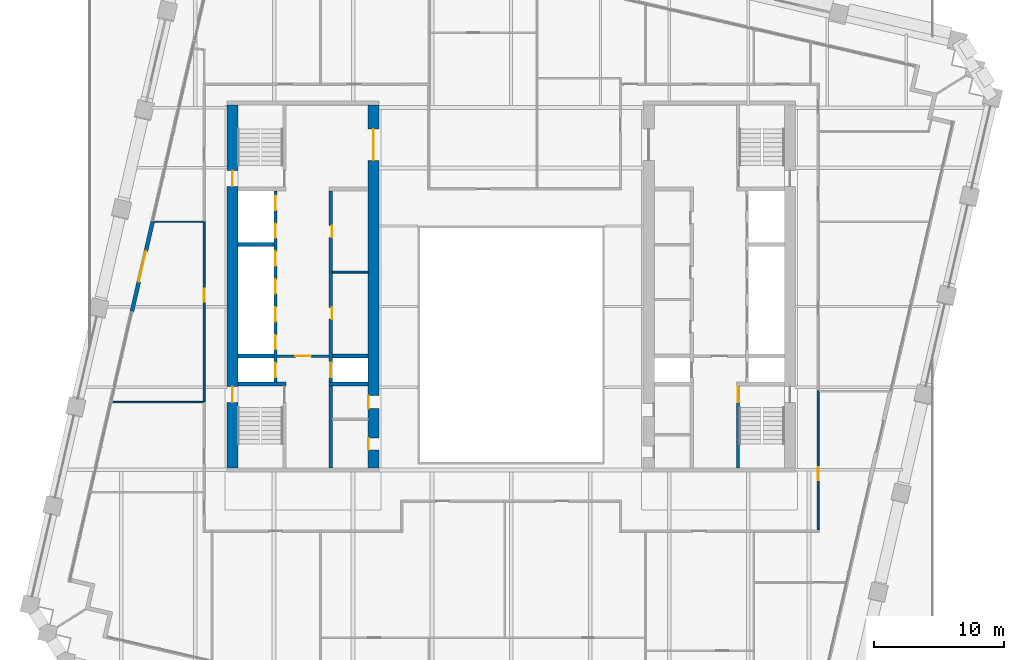
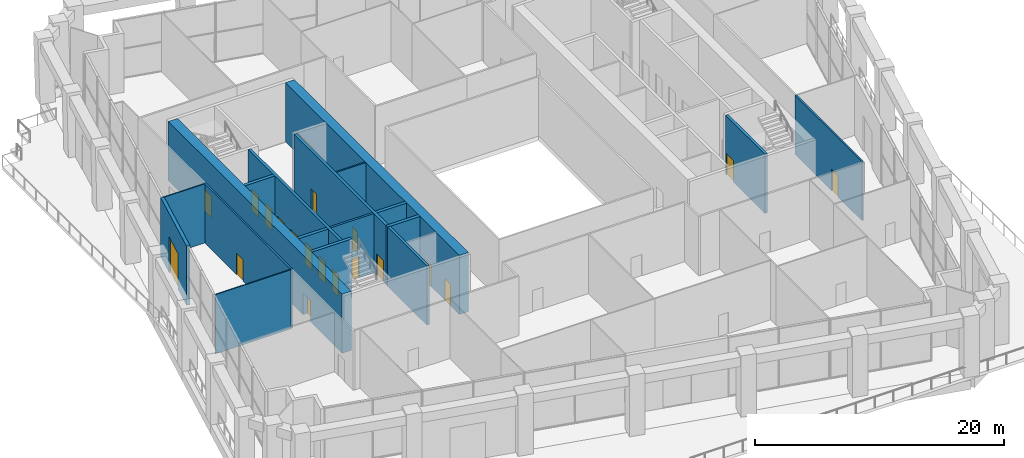
# One storey, part 16 of 23: 20 doors, 17 walls, 20 openings.
"""IFC4 building model written with IfcOpenShell, lengths in metres."""

from ifc_helpers import new_model, si_unit, direction, frame, frame_2d, origin, place, context, subcontext, project, spatial, rectangle, extrude, material, layer, layer_set, type_object, element, fill, save


model = new_model("IFC4")

# Units and contexts
model_context = context("Model", 3, precision=1e-05, world=origin(), true_north=direction((0.0, 1.0)))
body_context = subcontext(model_context, "Body", "Model", "MODEL_VIEW")
ifc_project = project(units=[si_unit("LENGTHUNIT", "METRE"), si_unit("AREAUNIT", "SQUARE_METRE"), si_unit("VOLUMEUNIT", "CUBIC_METRE"), si_unit("PLANEANGLEUNIT", "RADIAN"), si_unit("MASSUNIT", "GRAM", prefix="KILO")], contexts=[model_context])

# Site, building, storey
site_placement = place(None, origin())
site = spatial("IfcSite", under=ifc_project, at=site_placement, CompositionType="ELEMENT")
building_placement = place(site_placement, origin())
building = spatial("IfcBuilding", under=site, at=building_placement, Name="Ogive Exchange Tower", CompositionType="ELEMENT")
storey_placement = place(building_placement, frame((0.0, 0.0, 99.60009765625)))
storey = spatial("IfcBuildingStorey", under=building, at=storey_placement, Name="L21", CompositionType="ELEMENT", Elevation=99.60009765625)

# Wall
ifc_material_1 = material(Name="Gypsum board partition")
ifc_layer_1 = layer(ifc_material_1, 0.14990234375)
ifc_layer_set_1 = layer_set([ifc_layer_1], Name="Core room partition 150 gypsum")
wall_type_1 = type_object("IfcWallType", Name="Core room partition 150 gypsum", PredefinedType="PARTITIONING", material=ifc_layer_set_1)
wall_1_placement = place(storey_placement, frame((-13.75, 12.60009765625, 0.0), z_axis=(0.0, 0.0, 1.0), x_axis=(1.0, 0.0, 0.0)))
element("IfcWall", 1, at=wall_1_placement, inside=storey, type_object=wall_type_1, Name="W row B bay partition 1-1", PredefinedType="PARTITIONING", context=body_context, shape_type="SweptSolid", body=[
    extrude(rectangle(XDim=2.75, YDim=0.14990234375, at=frame_2d((1.375, 0.0))), origin(), (0.0, 0.0, 1.0), 5.7998046875),
])

# Wall, opening, door
ifc_material_2 = material(Name="Fire partition EI 60 150")
ifc_layer_2 = layer(ifc_material_2, 0.14990234375)
ifc_layer_set_2 = layer_set([ifc_layer_2], Name="Fire partition EI 60 150")
wall_type_2 = type_object("IfcWallType", Name="Fire partition EI 60 150", PredefinedType="PARTITIONING", material=ifc_layer_set_2)
wall_2_placement = place(storey_placement, frame((-23.60009765625, 2.610107421875, 0.0), z_axis=(0.0, 0.0, 1.0), x_axis=(0.0, 1.0, 0.0)))
wall_2 = element("IfcWall", 2, at=wall_2_placement, inside=storey, type_object=wall_type_2, Name="L21-PWL-006", PredefinedType="PARTITIONING", context=body_context, shape_type="SweptSolid", body=[
    extrude(rectangle(XDim=13.919921875, YDim=0.14990234375, at=frame_2d((6.9599609375, 0.0))), origin(), (0.0, 0.0, 1.0), 5.7998046875),
])
opening_1_placement = place(wall_2_placement, frame((7.719970703125, 0.0, 0.0)))
opening_1 = element("IfcOpeningElement", 3, at=opening_1_placement, cuts=wall_2, Name="Opening L21-I21", PredefinedType="OPENING", context=body_context, shape_type="SweptSolid", body=[
    extrude(rectangle(XDim=1.0, YDim=2.10009765625, at=frame_2d((0.5, 1.050048828125))), frame((0.0, 0.0849609375, 0.0), z_axis=(0.0, -1.0, 0.0), x_axis=(1.0, 0.0, 0.0)), (0.0, 0.0, 1.0), 0.169921875),
])
ifc_material_3 = material(Name="Fire door FD 30S 1000 x 2100")
door_type_1 = type_object("IfcDoorType", Name="Fire door FD 30S 1000 x 2100", OperationType="NOTDEFINED", PredefinedType="DOOR", material=ifc_material_3)
door_1_placement = place(opening_1_placement, origin())
door_1 = element("IfcDoor", 4, at=door_1_placement, inside=storey, type_object=door_type_1, Name="L21-IDR-021", ObjectType="DT3", OperationType="SINGLE_SWING_RIGHT", OverallHeight=2.10009765625, OverallWidth=1.0, PredefinedType="DOOR", context=body_context, shape_type="SweptSolid", body=[
    extrude(rectangle(XDim=1.0, YDim=2.10009765625, at=frame_2d((0.5, 1.050048828125))), frame((0.0, 0.02490234375, 0.0), z_axis=(0.0, -1.0, 0.0), x_axis=(1.0, 0.0, 0.0)), (0.0, 0.0, 1.0), 0.050048828125),
])
fill(opening_1, door_1)

wall_3_placement = place(storey_placement, frame((23.60009765625, 3.5, 0.0), z_axis=(0.0, 0.0, 1.0), x_axis=(0.0, -1.0, 0.0)))
wall_3 = element("IfcWall", 5, at=wall_3_placement, inside=storey, type_object=wall_type_2, Name="L21-PWL-059", PredefinedType="PARTITIONING", context=body_context, shape_type="SweptSolid", body=[
    extrude(rectangle(XDim=10.72509765625, YDim=0.14990234375, at=frame_2d((5.362548828125, 0.0))), origin(), (0.0, 0.0, 1.0), 5.7998046875),
])
opening_2_placement = place(wall_3_placement, frame((5.89990234375, 0.0, 0.0)))
opening_2 = element("IfcOpeningElement", 6, at=opening_2_placement, cuts=wall_3, Name="Opening L21-I14", PredefinedType="OPENING", context=body_context, shape_type="SweptSolid", body=[
    extrude(rectangle(XDim=1.0, YDim=2.10009765625, at=frame_2d((0.5, 1.050048828125))), frame((0.0, 0.0849609375, 0.0), z_axis=(0.0, -1.0, 0.0), x_axis=(1.0, 0.0, 0.0)), (0.0, 0.0, 1.0), 0.169921875),
])
door_2_placement = place(opening_2_placement, origin())
door_2 = element("IfcDoor", 7, at=door_2_placement, inside=storey, type_object=door_type_1, Name="L21-IDR-014", ObjectType="DT3", OperationType="SINGLE_SWING_RIGHT", OverallHeight=2.10009765625, OverallWidth=1.0, PredefinedType="DOOR", context=body_context, shape_type="SweptSolid", body=[
    extrude(rectangle(XDim=1.0, YDim=2.10009765625, at=frame_2d((0.5, 1.050048828125))), frame((0.0, 0.02490234375, 0.0), z_axis=(0.0, -1.0, 0.0), x_axis=(1.0, 0.0, 0.0)), (0.0, 0.0, 1.0), 0.050048828125),
])
fill(opening_2, door_2)

ifc_material_4 = material(Name="Precast concrete C40/50", Category="concrete")
ifc_layer_3 = layer(ifc_material_4, 0.300048828125)
ifc_layer_set_3 = layer_set([ifc_layer_3], Name="Limestone-faced wall 300")
wall_type_3 = type_object("IfcWallType", Name="Limestone-faced wall 300", PredefinedType="STANDARD", material=ifc_layer_set_3)
wall_4_placement = place(storey_placement, frame((-27.553955078125, 16.511962890625, 0.0), z_axis=(0.0, 0.0, 1.0), x_axis=(-0.224949733175, -0.9743703698, 0.0)))
wall_4 = element("IfcWall", 8, at=wall_4_placement, inside=storey, type_object=wall_type_3, Name="External wall W4", PredefinedType="STANDARD", context=body_context, shape_type="SweptSolid", body=[
    extrude(rectangle(XDim=7.1142578125, YDim=0.300048828125, at=frame_2d((3.55712890625, 0.0))), origin(), (0.0, 0.0, 1.0), 5.7998046875),
])
opening_3_placement = place(wall_4_placement, frame((2.357177734375, 0.0, 0.0)))
opening_3 = element("IfcOpeningElement", 9, at=opening_3_placement, cuts=wall_4, Name="Opening D1", PredefinedType="OPENING", context=body_context, shape_type="SweptSolid", body=[
    extrude(rectangle(XDim=2.39990234375, YDim=3.5, at=frame_2d((1.199951171875, 1.75))), frame((0.0, 0.159912109375, 0.0), z_axis=(0.0, -1.0, 0.0), x_axis=(1.0, 0.0, 0.0)), (0.0, 0.0, 1.0), 0.320068359375),
])
ifc_material_5 = material(Name="Clear glass in bronze frame", Category="glass")
door_type_2 = type_object("IfcDoorType", Name="Sliding loggia door 2400 x 3500", OperationType="DOUBLE_DOOR_SLIDING", PredefinedType="DOOR", material=ifc_material_5)
door_3_placement = place(opening_3_placement, origin())
door_3 = element("IfcDoor", 10, at=door_3_placement, inside=storey, type_object=door_type_2, Name="Loggia door W03", OperationType="DOUBLE_DOOR_SLIDING", OverallHeight=3.5, OverallWidth=2.39990234375, PredefinedType="DOOR", context=body_context, shape_type="SweptSolid", body=[
    extrude(rectangle(XDim=2.39990234375, YDim=3.5, at=frame_2d((1.199951171875, 1.75))), frame((0.0, 0.02490234375, 0.0), z_axis=(0.0, -1.0, 0.0), x_axis=(1.0, 0.0, 0.0)), (0.0, 0.0, 1.0), 0.050048828125),
])
fill(opening_3, door_3)

# Walls
ifc_material_6 = material(Name="Partition 100 gypsum")
ifc_layer_4 = layer(ifc_material_6, 0.10009765625)
ifc_layer_set_4 = layer_set([ifc_layer_4], Name="Partition 100 gypsum")
wall_type_4 = type_object("IfcWallType", Name="Partition 100 gypsum", PredefinedType="PARTITIONING", material=ifc_layer_set_4)
wall_5_placement = place(storey_placement, frame((-23.675048828125, 2.610107421875, 0.0), z_axis=(0.0, 0.0, 1.0), x_axis=(-1.0, 0.0, 0.0)))
element("IfcWall", 11, at=wall_5_placement, inside=storey, type_object=wall_type_4, Name="L21-PWL-005", PredefinedType="PARTITIONING", context=body_context, shape_type="SweptSolid", body=[
    extrude(rectangle(XDim=7.016845703125, YDim=0.10009765625, at=frame_2d((3.50830078125, 0.0))), origin(), (0.0, 0.0, 1.0), 5.7998046875),
])
wall_6_placement = place(storey_placement, frame((-23.675048828125, 16.47998046875, 0.0), z_axis=(0.0, 0.0, 1.0), x_axis=(-1.0, 0.0, 0.0)))
element("IfcWall", 12, at=wall_6_placement, inside=storey, type_object=wall_type_4, Name="L21-PWL-007", PredefinedType="PARTITIONING", context=body_context, shape_type="SweptSolid", body=[
    extrude(rectangle(XDim=3.81494140625, YDim=0.10009765625, at=frame_2d((1.907470703125, 0.0))), origin(), (0.0, 0.0, 1.0), 5.7998046875),
])

# Wall, opening, door
ifc_material_7 = material(Name="Concrete C70/85", Category="concrete")
ifc_layer_5 = layer(ifc_material_7, 0.199951171875)
ifc_layer_set_5 = layer_set([ifc_layer_5], Name="RC core wall 200 C70/85")
wall_type_5 = type_object("IfcWallType", Name="RC core wall 200 C70/85", PredefinedType="SHEAR", material=ifc_layer_set_5)
wall_7_placement = place(storey_placement, frame((-18.0, 6.142822265625, 0.0), z_axis=(0.0, 0.0, 1.0), x_axis=(1.0, 0.0, 0.0)))
wall_7 = element("IfcWall", 13, at=wall_7_placement, inside=storey, type_object=wall_type_5, Name="W firefighting lobby wall", PredefinedType="SHEAR", context=body_context, shape_type="SweptSolid", body=[
    extrude(rectangle(XDim=4.0, YDim=0.199951171875, at=frame_2d((2.0, 0.0))), origin(), (0.0, 0.0, 1.0), 5.7998046875),
])
opening_4_placement = place(wall_7_placement, frame((1.39990234375, 0.0, 0.0)))
opening_4 = element("IfcOpeningElement", 14, at=opening_4_placement, cuts=wall_7, Name="Opening L21-C11", PredefinedType="OPENING", context=body_context, shape_type="SweptSolid", body=[
    extrude(rectangle(XDim=1.199951171875, YDim=2.10009765625, at=frame_2d((0.60009765625, 1.050048828125))), frame((0.0, 0.10986328125, 0.0), z_axis=(0.0, -1.0, 0.0), x_axis=(1.0, 0.0, 0.0)), (0.0, 0.0, 1.0), 0.219970703125),
])
ifc_material_8 = material(Name="Steel fire door", Category="steel")
door_type_3 = type_object("IfcDoorType", Name="Firefighting lobby door FD60 1200 x 2100", OperationType="NOTDEFINED", PredefinedType="DOOR", material=ifc_material_8)
door_4_placement = place(opening_4_placement, frame((1.199951171875, 0.0, 0.0), z_axis=(0.0, 0.0, 1.0), x_axis=(-1.0, 0.0, 0.0)))
door_4 = element("IfcDoor", 15, at=door_4_placement, inside=storey, type_object=door_type_3, Name="Firefighting lobby door", ObjectType="CD3", OperationType="SINGLE_SWING_RIGHT", OverallHeight=2.10009765625, OverallWidth=1.199951171875, PredefinedType="DOOR", context=body_context, shape_type="SweptSolid", body=[
    extrude(rectangle(XDim=1.199951171875, YDim=2.10009765625, at=frame_2d((0.60009765625, 1.050048828125))), frame((0.0, 0.02490234375, 0.0), z_axis=(0.0, -1.0, 0.0), x_axis=(1.0, 0.0, 0.0)), (0.0, 0.0, 1.0), 0.050048828125),
])
fill(opening_4, door_4)

# Wall, openings, doors
ifc_layer_6 = layer(ifc_material_7, 0.25)
ifc_layer_set_6 = layer_set([ifc_layer_6], Name="RC core wall 250 C70/85")
wall_type_6 = type_object("IfcWallType", Name="RC core wall 250 C70/85", PredefinedType="SHEAR", material=ifc_layer_set_6)
wall_8_placement = place(storey_placement, frame((-18.125, 4.14990234375, 0.0), z_axis=(0.0, 0.0, 1.0), x_axis=(0.0, 1.0, 0.0)))
wall_8 = element("IfcWall", 16, at=wall_8_placement, inside=storey, type_object=wall_type_6, Name="W row A front wall", PredefinedType="SHEAR", context=body_context, shape_type="SweptSolid", body=[
    extrude(rectangle(XDim=14.7001953125, YDim=0.25, at=frame_2d((7.35009765625, 0.0))), origin(), (0.0, 0.0, 1.0), 5.7998046875),
])
opening_5_placement = place(wall_8_placement, frame((0.371337890625, 0.0, 0.0)))
opening_5 = element("IfcOpeningElement", 17, at=opening_5_placement, cuts=wall_8, Name="Opening L21-C01", PredefinedType="OPENING", context=body_context, shape_type="SweptSolid", body=[
    extrude(rectangle(XDim=1.10009765625, YDim=2.10009765625, at=frame_2d((0.550048828125, 1.050048828125))), frame((0.0, 0.135009765625, 0.0), z_axis=(0.0, -1.0, 0.0), x_axis=(1.0, 0.0, 0.0)), (0.0, 0.0, 1.0), 0.27001953125),
])
opening_6_placement = place(wall_8_placement, frame((2.514404296875, 0.0, 0.0)))
opening_6 = element("IfcOpeningElement", 18, at=opening_6_placement, cuts=wall_8, Name="Opening L21-C02", PredefinedType="OPENING", context=body_context, shape_type="SweptSolid", body=[
    extrude(rectangle(XDim=1.10009765625, YDim=2.10009765625, at=frame_2d((0.550048828125, 1.050048828125))), frame((0.0, 0.135009765625, 0.0), z_axis=(0.0, -1.0, 0.0), x_axis=(1.0, 0.0, 0.0)), (0.0, 0.0, 1.0), 0.27001953125),
])
opening_7_placement = place(wall_8_placement, frame((4.656982421875, 0.0, 0.0)))
opening_7 = element("IfcOpeningElement", 19, at=opening_7_placement, cuts=wall_8, Name="Opening L21-C03", PredefinedType="OPENING", context=body_context, shape_type="SweptSolid", body=[
    extrude(rectangle(XDim=1.10009765625, YDim=2.10009765625, at=frame_2d((0.550048828125, 1.050048828125))), frame((0.0, 0.135009765625, 0.0), z_axis=(0.0, -1.0, 0.0), x_axis=(1.0, 0.0, 0.0)), (0.0, 0.0, 1.0), 0.27001953125),
])
opening_8_placement = place(wall_8_placement, frame((6.800048828125, 0.0, 0.0)))
opening_8 = element("IfcOpeningElement", 20, at=opening_8_placement, cuts=wall_8, Name="Opening L21-C04", PredefinedType="OPENING", context=body_context, shape_type="SweptSolid", body=[
    extrude(rectangle(XDim=1.10009765625, YDim=2.10009765625, at=frame_2d((0.550048828125, 1.050048828125))), frame((0.0, 0.135009765625, 0.0), z_axis=(0.0, -1.0, 0.0), x_axis=(1.0, 0.0, 0.0)), (0.0, 0.0, 1.0), 0.27001953125),
])
opening_9_placement = place(wall_8_placement, frame((8.94287109375, 0.0, 0.0)))
opening_9 = element("IfcOpeningElement", 21, at=opening_9_placement, cuts=wall_8, Name="Opening L21-C05", PredefinedType="OPENING", context=body_context, shape_type="SweptSolid", body=[
    extrude(rectangle(XDim=1.10009765625, YDim=2.10009765625, at=frame_2d((0.550048828125, 1.050048828125))), frame((0.0, 0.135009765625, 0.0), z_axis=(0.0, -1.0, 0.0), x_axis=(1.0, 0.0, 0.0)), (0.0, 0.0, 1.0), 0.27001953125),
])
opening_10_placement = place(wall_8_placement, frame((11.085693359375, 0.0, 0.0)))
opening_10 = element("IfcOpeningElement", 22, at=opening_10_placement, cuts=wall_8, Name="Opening L21-C06", PredefinedType="OPENING", context=body_context, shape_type="SweptSolid", body=[
    extrude(rectangle(XDim=1.10009765625, YDim=2.10009765625, at=frame_2d((0.550048828125, 1.050048828125))), frame((0.0, 0.135009765625, 0.0), z_axis=(0.0, -1.0, 0.0), x_axis=(1.0, 0.0, 0.0)), (0.0, 0.0, 1.0), 0.27001953125),
])
opening_11_placement = place(wall_8_placement, frame((13.228515625, 0.0, 0.0)))
opening_11 = element("IfcOpeningElement", 23, at=opening_11_placement, cuts=wall_8, Name="Opening L21-C07", PredefinedType="OPENING", context=body_context, shape_type="SweptSolid", body=[
    extrude(rectangle(XDim=1.10009765625, YDim=2.10009765625, at=frame_2d((0.550048828125, 1.050048828125))), frame((0.0, 0.135009765625, 0.0), z_axis=(0.0, -1.0, 0.0), x_axis=(1.0, 0.0, 0.0)), (0.0, 0.0, 1.0), 0.27001953125),
])
ifc_material_9 = material(Name="Stainless steel", Category="steel")
door_type_4 = type_object("IfcDoorType", Name="Lift landing door FD90 1100 x 2100", OperationType="SLIDING_TO_LEFT", PredefinedType="DOOR", material=ifc_material_9)
door_5_placement = place(opening_5_placement, origin())
door_5 = element("IfcDoor", 24, at=door_5_placement, inside=storey, type_object=door_type_4, Name="Lift landing door FF1", ObjectType="LD", OperationType="SLIDING_TO_LEFT", OverallHeight=2.10009765625, OverallWidth=1.10009765625, PredefinedType="DOOR", context=body_context, shape_type="SweptSolid", body=[
    extrude(rectangle(XDim=1.10009765625, YDim=2.10009765625, at=frame_2d((0.550048828125, 1.050048828125))), frame((0.0, 0.02490234375, 0.0), z_axis=(0.0, -1.0, 0.0), x_axis=(1.0, 0.0, 0.0)), (0.0, 0.0, 1.0), 0.050048828125),
])
fill(opening_5, door_5)
door_6_placement = place(opening_6_placement, origin())
door_6 = element("IfcDoor", 25, at=door_6_placement, inside=storey, type_object=door_type_4, Name="Lift landing door W-L1", ObjectType="LD", OperationType="SLIDING_TO_LEFT", OverallHeight=2.10009765625, OverallWidth=1.10009765625, PredefinedType="DOOR", context=body_context, shape_type="SweptSolid", body=[
    extrude(rectangle(XDim=1.10009765625, YDim=2.10009765625, at=frame_2d((0.550048828125, 1.050048828125))), frame((0.0, 0.02490234375, 0.0), z_axis=(0.0, -1.0, 0.0), x_axis=(1.0, 0.0, 0.0)), (0.0, 0.0, 1.0), 0.050048828125),
])
fill(opening_6, door_6)
door_7_placement = place(opening_7_placement, origin())
door_7 = element("IfcDoor", 26, at=door_7_placement, inside=storey, type_object=door_type_4, Name="Lift landing door W-L2", ObjectType="LD", OperationType="SLIDING_TO_LEFT", OverallHeight=2.10009765625, OverallWidth=1.10009765625, PredefinedType="DOOR", context=body_context, shape_type="SweptSolid", body=[
    extrude(rectangle(XDim=1.10009765625, YDim=2.10009765625, at=frame_2d((0.550048828125, 1.050048828125))), frame((0.0, 0.02490234375, 0.0), z_axis=(0.0, -1.0, 0.0), x_axis=(1.0, 0.0, 0.0)), (0.0, 0.0, 1.0), 0.050048828125),
])
fill(opening_7, door_7)
door_8_placement = place(opening_8_placement, origin())
door_8 = element("IfcDoor", 27, at=door_8_placement, inside=storey, type_object=door_type_4, Name="Lift landing door W-L3", ObjectType="LD", OperationType="SLIDING_TO_LEFT", OverallHeight=2.10009765625, OverallWidth=1.10009765625, PredefinedType="DOOR", context=body_context, shape_type="SweptSolid", body=[
    extrude(rectangle(XDim=1.10009765625, YDim=2.10009765625, at=frame_2d((0.550048828125, 1.050048828125))), frame((0.0, 0.02490234375, 0.0), z_axis=(0.0, -1.0, 0.0), x_axis=(1.0, 0.0, 0.0)), (0.0, 0.0, 1.0), 0.050048828125),
])
fill(opening_8, door_8)
door_9_placement = place(opening_9_placement, origin())
door_9 = element("IfcDoor", 28, at=door_9_placement, inside=storey, type_object=door_type_4, Name="Lift landing door W-L4", ObjectType="LD", OperationType="SLIDING_TO_LEFT", OverallHeight=2.10009765625, OverallWidth=1.10009765625, PredefinedType="DOOR", context=body_context, shape_type="SweptSolid", body=[
    extrude(rectangle(XDim=1.10009765625, YDim=2.10009765625, at=frame_2d((0.550048828125, 1.050048828125))), frame((0.0, 0.02490234375, 0.0), z_axis=(0.0, -1.0, 0.0), x_axis=(1.0, 0.0, 0.0)), (0.0, 0.0, 1.0), 0.050048828125),
])
fill(opening_9, door_9)
door_10_placement = place(opening_10_placement, origin())
door_10 = element("IfcDoor", 29, at=door_10_placement, inside=storey, type_object=door_type_4, Name="Lift landing door W-SH1", ObjectType="LD", OperationType="SLIDING_TO_LEFT", OverallHeight=2.10009765625, OverallWidth=1.10009765625, PredefinedType="DOOR", context=body_context, shape_type="SweptSolid", body=[
    extrude(rectangle(XDim=1.10009765625, YDim=2.10009765625, at=frame_2d((0.550048828125, 1.050048828125))), frame((0.0, 0.02490234375, 0.0), z_axis=(0.0, -1.0, 0.0), x_axis=(1.0, 0.0, 0.0)), (0.0, 0.0, 1.0), 0.050048828125),
])
fill(opening_10, door_10)
door_11_placement = place(opening_11_placement, origin())
door_11 = element("IfcDoor", 30, at=door_11_placement, inside=storey, type_object=door_type_4, Name="Lift landing door W-SH2", ObjectType="LD", OperationType="SLIDING_TO_LEFT", OverallHeight=2.10009765625, OverallWidth=1.10009765625, PredefinedType="DOOR", context=body_context, shape_type="SweptSolid", body=[
    extrude(rectangle(XDim=1.10009765625, YDim=2.10009765625, at=frame_2d((0.550048828125, 1.050048828125))), frame((0.0, 0.02490234375, 0.0), z_axis=(0.0, -1.0, 0.0), x_axis=(1.0, 0.0, 0.0)), (0.0, 0.0, 1.0), 0.050048828125),
])
fill(opening_11, door_11)

wall_9_placement = place(storey_placement, frame((-13.875, -2.449951171875, 0.0), z_axis=(0.0, 0.0, 1.0), x_axis=(0.0, 1.0, 0.0)))
wall_9 = element("IfcWall", 31, at=wall_9_placement, inside=storey, type_object=wall_type_6, Name="W row B front wall", PredefinedType="SHEAR", context=body_context, shape_type="SweptSolid", body=[
    extrude(rectangle(XDim=21.300048828125, YDim=0.25, at=frame_2d((10.64990234375, 0.0))), origin(), (0.0, 0.0, 1.0), 5.7998046875),
])
opening_12_placement = place(wall_9_placement, frame((11.4462890625, 0.0, 0.0)))
opening_12 = element("IfcOpeningElement", 32, at=opening_12_placement, cuts=wall_9, Name="Opening L21-C08", PredefinedType="OPENING", context=body_context, shape_type="SweptSolid", body=[
    extrude(rectangle(XDim=0.89990234375, YDim=2.10009765625, at=frame_2d((0.449951171875, 1.050048828125))), frame((0.0, 0.135009765625, 0.0), z_axis=(0.0, -1.0, 0.0), x_axis=(1.0, 0.0, 0.0)), (0.0, 0.0, 1.0), 0.27001953125),
])
opening_13_placement = place(wall_9_placement, frame((17.72509765625, 0.0, 0.0)))
opening_13 = element("IfcOpeningElement", 33, at=opening_13_placement, cuts=wall_9, Name="Opening L21-C09", PredefinedType="OPENING", context=body_context, shape_type="SweptSolid", body=[
    extrude(rectangle(XDim=0.89990234375, YDim=2.10009765625, at=frame_2d((0.449951171875, 1.050048828125))), frame((0.0, 0.135009765625, 0.0), z_axis=(0.0, -1.0, 0.0), x_axis=(1.0, 0.0, 0.0)), (0.0, 0.0, 1.0), 0.27001953125),
])
opening_14_placement = place(wall_9_placement, frame((6.971435546875, 0.0, 0.0)))
opening_14 = element("IfcOpeningElement", 34, at=opening_14_placement, cuts=wall_9, Name="Opening L21-C10", PredefinedType="OPENING", context=body_context, shape_type="SweptSolid", body=[
    extrude(rectangle(XDim=1.10009765625, YDim=2.10009765625, at=frame_2d((0.550048828125, 1.050048828125))), frame((0.0, 0.135009765625, 0.0), z_axis=(0.0, -1.0, 0.0), x_axis=(1.0, 0.0, 0.0)), (0.0, 0.0, 1.0), 0.27001953125),
])
ifc_material_10 = material(Name="Timber fire door", Category="wood")
door_type_5 = type_object("IfcDoorType", Name="Core room door FD30S 900 x 2100", OperationType="NOTDEFINED", PredefinedType="DOOR", material=ifc_material_10)
door_12_placement = place(opening_13_placement, frame((0.89990234375, -0.2001953125, 0.0), z_axis=(0.0, 0.0, 1.0), x_axis=(-1.0, 0.0, 0.0)))
door_12 = element("IfcDoor", 35, at=door_12_placement, inside=storey, type_object=door_type_5, Name="Core room door", ObjectType="CD6", OperationType="SINGLE_SWING_LEFT", OverallHeight=2.10009765625, OverallWidth=0.89990234375, PredefinedType="DOOR", context=body_context, shape_type="SweptSolid", body=[
    extrude(rectangle(XDim=0.89990234375, YDim=2.10009765625, at=frame_2d((0.449951171875, 1.050048828125))), frame((0.0, -0.0751953125, 0.0), z_axis=(0.0, -1.0, 0.0), x_axis=(1.0, 0.0, 0.0)), (0.0, 0.0, 1.0), 0.050048828125),
])
fill(opening_13, door_12)
door_13_placement = place(opening_14_placement, origin())
door_13 = element("IfcDoor", 36, at=door_13_placement, inside=storey, type_object=door_type_4, Name="Lift landing door SV1", ObjectType="LD", OperationType="SLIDING_TO_LEFT", OverallHeight=2.10009765625, OverallWidth=1.10009765625, PredefinedType="DOOR", context=body_context, shape_type="SweptSolid", body=[
    extrude(rectangle(XDim=1.10009765625, YDim=2.10009765625, at=frame_2d((0.550048828125, 1.050048828125))), frame((0.0, 0.02490234375, 0.0), z_axis=(0.0, -1.0, 0.0), x_axis=(1.0, 0.0, 0.0)), (0.0, 0.0, 1.0), 0.050048828125),
])
fill(opening_14, door_13)
door_type_6 = type_object("IfcDoorType", Name="Riser door FD60 900 x 2100", OperationType="NOTDEFINED", PredefinedType="DOOR", material=ifc_material_8)
door_14_placement = place(opening_12_placement, frame((0.89990234375, -0.2001953125, 0.0), z_axis=(0.0, 0.0, 1.0), x_axis=(-1.0, 0.0, 0.0)))
door_14 = element("IfcDoor", 37, at=door_14_placement, inside=storey, type_object=door_type_6, Name="Riser door", ObjectType="CD2", OperationType="SINGLE_SWING_LEFT", OverallHeight=2.10009765625, OverallWidth=0.89990234375, PredefinedType="DOOR", context=body_context, shape_type="SweptSolid", body=[
    extrude(rectangle(XDim=0.89990234375, YDim=2.10009765625, at=frame_2d((0.449951171875, 1.050048828125))), frame((0.0, -0.0751953125, 0.0), z_axis=(0.0, -1.0, 0.0), x_axis=(1.0, 0.0, 0.0)), (0.0, 0.0, 1.0), 0.050048828125),
])
fill(opening_12, door_14)

# Wall, opening, door
wall_10_placement = place(storey_placement, frame((17.425048828125, -2.449951171875, 0.0), z_axis=(0.0, 0.0, 1.0), x_axis=(0.0, 1.0, 0.0)))
wall_10 = element("IfcWall", 38, at=wall_10_placement, inside=storey, type_object=wall_type_6, Name="E stair S front wall", PredefinedType="SHEAR", context=body_context, shape_type="SweptSolid", body=[
    extrude(rectangle(XDim=6.300048828125, YDim=0.25, at=frame_2d((3.14990234375, 0.0))), origin(), (0.0, 0.0, 1.0), 5.7998046875),
])
opening_15_placement = place(wall_10_placement, frame((5.050048828125, 0.0, 0.0)))
opening_15 = element("IfcOpeningElement", 39, at=opening_15_placement, cuts=wall_10, Name="Opening L21-C32", PredefinedType="OPENING", context=body_context, shape_type="SweptSolid", body=[
    extrude(rectangle(XDim=1.199951171875, YDim=2.10009765625, at=frame_2d((0.60009765625, 1.050048828125))), frame((0.0, 0.135009765625, 0.0), z_axis=(0.0, -1.0, 0.0), x_axis=(1.0, 0.0, 0.0)), (0.0, 0.0, 1.0), 0.27001953125),
])
door_type_7 = type_object("IfcDoorType", Name="Stair door FD90 1200 x 2100", OperationType="NOTDEFINED", PredefinedType="DOOR", material=ifc_material_8)
door_15_placement = place(opening_15_placement, frame((1.199951171875, 0.0, 0.0), z_axis=(0.0, 0.0, 1.0), x_axis=(-1.0, 0.0, 0.0)))
door_15 = element("IfcDoor", 40, at=door_15_placement, inside=storey, type_object=door_type_7, Name="Stair door", ObjectType="CD5", OperationType="SINGLE_SWING_RIGHT", OverallHeight=2.10009765625, OverallWidth=1.199951171875, PredefinedType="DOOR", context=body_context, shape_type="SweptSolid", body=[
    extrude(rectangle(XDim=1.199951171875, YDim=2.10009765625, at=frame_2d((0.60009765625, 1.050048828125))), frame((0.0, 0.02490234375, 0.0), z_axis=(0.0, -1.0, 0.0), x_axis=(1.0, 0.0, 0.0)), (0.0, 0.0, 1.0), 0.050048828125),
])
fill(opening_15, door_15)

# Walls
ifc_layer_7 = layer(ifc_material_7, 0.300048828125)
ifc_layer_set_7 = layer_set([ifc_layer_7], Name="RC core wall 300 C70/85")
wall_type_7 = type_object("IfcWallType", Name="RC core wall 300 C70/85", PredefinedType="SHEAR", material=ifc_layer_set_7)
wall_11_placement = place(storey_placement, frame((-21.0, 4.0, 0.0), z_axis=(0.0, 0.0, 1.0), x_axis=(1.0, 0.0, 0.0)))
element("IfcWall", 41, at=wall_11_placement, inside=storey, type_object=wall_type_7, Name="W stair S north wall", PredefinedType="SHEAR", context=body_context, shape_type="SweptSolid", body=[
    extrude(rectangle(XDim=3.699951171875, YDim=0.300048828125, at=frame_2d((1.85009765625, 0.0))), origin(), (0.0, 0.0, 1.0), 5.7998046875),
])
for number, where, z_axis, x_axis, name in (
    (42, (-21.0, 6.142822265625, 0.0), (0.0, 0.0, 1.0), (1.0, 0.0, 0.0), "W row A divider 1"),
    (43, (-21.0, 14.71435546875, 0.0), (0.0, 0.0, 1.0), (1.0, 0.0, 0.0), "W row A divider 5"),
):
    element("IfcWall", number, at=place(storey_placement, frame(where, z_axis=z_axis, x_axis=x_axis)), inside=storey, type_object=wall_type_7, Name=name, PredefinedType="SHEAR", context=body_context, shape_type="SweptSolid", body=[
        extrude(rectangle(XDim=2.75, YDim=0.300048828125, at=frame_2d((1.375, 0.0))), origin(), (0.0, 0.0, 1.0), 5.7998046875),
    ])
wall_12_placement = place(storey_placement, frame((-14.0, 4.0, 0.0), z_axis=(0.0, 0.0, 1.0), x_axis=(1.0, 0.0, 0.0)))
element("IfcWall", 44, at=wall_12_placement, inside=storey, type_object=wall_type_7, Name="W row B divider 0", PredefinedType="SHEAR", context=body_context, shape_type="SweptSolid", body=[
    extrude(rectangle(XDim=3.0, YDim=0.300048828125, at=frame_2d((1.5, 0.0))), origin(), (0.0, 0.0, 1.0), 5.7998046875),
])
wall_13_placement = place(storey_placement, frame((-13.75, 6.142822265625, 0.0), z_axis=(0.0, 0.0, 1.0), x_axis=(1.0, 0.0, 0.0)))
element("IfcWall", 45, at=wall_13_placement, inside=storey, type_object=wall_type_7, Name="W row B divider 1", PredefinedType="SHEAR", context=body_context, shape_type="SweptSolid", body=[
    extrude(rectangle(XDim=2.75, YDim=0.300048828125, at=frame_2d((1.375, 0.0))), origin(), (0.0, 0.0, 1.0), 5.7998046875),
])

# Wall, openings, doors
ifc_layer_8 = layer(ifc_material_7, 0.85009765625)
ifc_layer_set_8 = layer_set([ifc_layer_8], Name="RC core wall 850 C70/85")
wall_type_8 = type_object("IfcWallType", Name="RC core wall 850 C70/85", PredefinedType="SHEAR", material=ifc_layer_set_8)
wall_14_placement = place(storey_placement, frame((-21.425048828125, -2.449951171875, 0.0), z_axis=(0.0, 0.0, 1.0), x_axis=(0.0, 1.0, 0.0)))
wall_14 = element("IfcWall", 46, at=wall_14_placement, inside=storey, type_object=wall_type_8, Name="W outer wall", PredefinedType="SHEAR", context=body_context, shape_type="SweptSolid", body=[
    extrude(rectangle(XDim=27.89990234375, YDim=0.85009765625, at=frame_2d((13.949951171875, 0.0))), origin(), (0.0, 0.0, 1.0), 5.7998046875),
])
opening_16_placement = place(wall_14_placement, frame((5.050048828125, 0.0, 0.0)))
opening_16 = element("IfcOpeningElement", 47, at=opening_16_placement, cuts=wall_14, Name="Opening L21-C14", PredefinedType="OPENING", context=body_context, shape_type="SweptSolid", body=[
    extrude(rectangle(XDim=1.199951171875, YDim=2.10009765625, at=frame_2d((0.60009765625, 1.050048828125))), frame((0.0, 0.43505859375, 0.0), z_axis=(0.0, -1.0, 0.0), x_axis=(1.0, 0.0, 0.0)), (0.0, 0.0, 1.0), 0.8701171875),
])
opening_17_placement = place(wall_14_placement, frame((21.64990234375, 0.0, 0.0)))
opening_17 = element("IfcOpeningElement", 48, at=opening_17_placement, cuts=wall_14, Name="Opening L21-C16", PredefinedType="OPENING", context=body_context, shape_type="SweptSolid", body=[
    extrude(rectangle(XDim=1.199951171875, YDim=2.10009765625, at=frame_2d((0.60009765625, 1.050048828125))), frame((0.0, 0.43505859375, 0.0), z_axis=(0.0, -1.0, 0.0), x_axis=(1.0, 0.0, 0.0)), (0.0, 0.0, 1.0), 0.8701171875),
])
door_16_placement = place(opening_16_placement, frame((1.199951171875, 0.0, 0.0), z_axis=(0.0, 0.0, 1.0), x_axis=(-1.0, 0.0, 0.0)))
door_16 = element("IfcDoor", 49, at=door_16_placement, inside=storey, type_object=door_type_7, Name="Stair door", ObjectType="CD5", OperationType="SINGLE_SWING_RIGHT", OverallHeight=2.10009765625, OverallWidth=1.199951171875, PredefinedType="DOOR", context=body_context, shape_type="SweptSolid", body=[
    extrude(rectangle(XDim=1.199951171875, YDim=2.10009765625, at=frame_2d((0.60009765625, 1.050048828125))), frame((0.0, 0.02490234375, 0.0), z_axis=(0.0, -1.0, 0.0), x_axis=(1.0, 0.0, 0.0)), (0.0, 0.0, 1.0), 0.050048828125),
])
fill(opening_16, door_16)
door_17_placement = place(opening_17_placement, frame((1.199951171875, 0.0, 0.0), z_axis=(0.0, 0.0, 1.0), x_axis=(-1.0, 0.0, 0.0)))
door_17 = element("IfcDoor", 50, at=door_17_placement, inside=storey, type_object=door_type_7, Name="Stair door", ObjectType="CD5", OperationType="SINGLE_SWING_LEFT", OverallHeight=2.10009765625, OverallWidth=1.199951171875, PredefinedType="DOOR", context=body_context, shape_type="SweptSolid", body=[
    extrude(rectangle(XDim=1.199951171875, YDim=2.10009765625, at=frame_2d((0.60009765625, 1.050048828125))), frame((0.0, 0.02490234375, 0.0), z_axis=(0.0, -1.0, 0.0), x_axis=(1.0, 0.0, 0.0)), (0.0, 0.0, 1.0), 0.050048828125),
])
fill(opening_17, door_17)

wall_15_placement = place(storey_placement, frame((-10.574951171875, -2.449951171875, 0.0), z_axis=(0.0, 0.0, 1.0), x_axis=(0.0, 1.0, 0.0)))
wall_15 = element("IfcWall", 51, at=wall_15_placement, inside=storey, type_object=wall_type_8, Name="W inner wall", PredefinedType="SHEAR", context=body_context, shape_type="SweptSolid", body=[
    extrude(rectangle(XDim=27.89990234375, YDim=0.85009765625, at=frame_2d((13.949951171875, 0.0))), origin(), (0.0, 0.0, 1.0), 5.7998046875),
])
opening_18_placement = place(wall_15_placement, frame((23.64990234375, 0.0, 0.0)))
opening_18 = element("IfcOpeningElement", 52, at=opening_18_placement, cuts=wall_15, Name="Opening L21-C12", PredefinedType="OPENING", context=body_context, shape_type="SweptSolid", body=[
    extrude(rectangle(XDim=2.39990234375, YDim=2.10009765625, at=frame_2d((1.199951171875, 1.050048828125))), frame((0.0, 0.43505859375, 0.0), z_axis=(0.0, -1.0, 0.0), x_axis=(1.0, 0.0, 0.0)), (0.0, 0.0, 1.0), 0.8701171875),
])
opening_19_placement = place(wall_15_placement, frame((1.387451171875, 0.0, 0.0)))
opening_19 = element("IfcOpeningElement", 53, at=opening_19_placement, cuts=wall_15, Name="Opening L21-C17", PredefinedType="OPENING", context=body_context, shape_type="SweptSolid", body=[
    extrude(rectangle(XDim=0.89990234375, YDim=2.10009765625, at=frame_2d((0.449951171875, 1.050048828125))), frame((0.0, 0.43505859375, 0.0), z_axis=(0.0, -1.0, 0.0), x_axis=(1.0, 0.0, 0.0)), (0.0, 0.0, 1.0), 0.8701171875),
])
opening_20_placement = place(wall_15_placement, frame((4.5625, 0.0, 0.0)))
opening_20 = element("IfcOpeningElement", 54, at=opening_20_placement, cuts=wall_15, Name="Opening L21-C18", PredefinedType="OPENING", context=body_context, shape_type="SweptSolid", body=[
    extrude(rectangle(XDim=1.0, YDim=2.10009765625, at=frame_2d((0.5, 1.050048828125))), frame((0.0, 0.43505859375, 0.0), z_axis=(0.0, -1.0, 0.0), x_axis=(1.0, 0.0, 0.0)), (0.0, 0.0, 1.0), 0.8701171875),
])
door_type_8 = type_object("IfcDoorType", Name="Accessible WC door FD30S 1000 x 2100", OperationType="NOTDEFINED", PredefinedType="DOOR", material=ifc_material_10)
door_18_placement = place(opening_20_placement, origin())
door_18 = element("IfcDoor", 55, at=door_18_placement, inside=storey, type_object=door_type_8, Name="Accessible WC door", ObjectType="CD7", OperationType="SINGLE_SWING_LEFT", OverallHeight=2.10009765625, OverallWidth=1.0, PredefinedType="DOOR", context=body_context, shape_type="SweptSolid", body=[
    extrude(rectangle(XDim=1.0, YDim=2.10009765625, at=frame_2d((0.5, 1.050048828125))), frame((0.0, 0.4248046875, 0.0), z_axis=(0.0, -1.0, 0.0), x_axis=(1.0, 0.0, 0.0)), (0.0, 0.0, 1.0), 0.050048828125),
])
fill(opening_20, door_18)
door_19_placement = place(opening_19_placement, origin())
door_19 = element("IfcDoor", 56, at=door_19_placement, inside=storey, type_object=door_type_5, Name="Core room door", ObjectType="CD6", OperationType="SINGLE_SWING_RIGHT", OverallHeight=2.10009765625, OverallWidth=0.89990234375, PredefinedType="DOOR", context=body_context, shape_type="SweptSolid", body=[
    extrude(rectangle(XDim=0.89990234375, YDim=2.10009765625, at=frame_2d((0.449951171875, 1.050048828125))), frame((0.0, 0.4248046875, 0.0), z_axis=(0.0, -1.0, 0.0), x_axis=(1.0, 0.0, 0.0)), (0.0, 0.0, 1.0), 0.050048828125),
])
fill(opening_19, door_19)
ifc_material_11 = material(Name="Glazed steel fire door", Category="steel")
door_type_9 = type_object("IfcDoorType", Name="Lift lobby double door FD60 2400 x 2100", OperationType="DOUBLE_DOOR_SINGLE_SWING", PredefinedType="DOOR", material=ifc_material_11)
door_20_placement = place(opening_18_placement, origin())
door_20 = element("IfcDoor", 57, at=door_20_placement, inside=storey, type_object=door_type_9, Name="Lift lobby double door", ObjectType="CD4", OperationType="DOUBLE_DOOR_SINGLE_SWING", OverallHeight=2.10009765625, OverallWidth=2.39990234375, PredefinedType="DOOR", context=body_context, shape_type="SweptSolid", body=[
    extrude(rectangle(XDim=2.39990234375, YDim=2.10009765625, at=frame_2d((1.199951171875, 1.050048828125))), frame((0.0, 0.02490234375, 0.0), z_axis=(0.0, -1.0, 0.0), x_axis=(1.0, 0.0, 0.0)), (0.0, 0.0, 1.0), 0.050048828125),
])
fill(opening_18, door_20)

save(model, "model.ifc")
